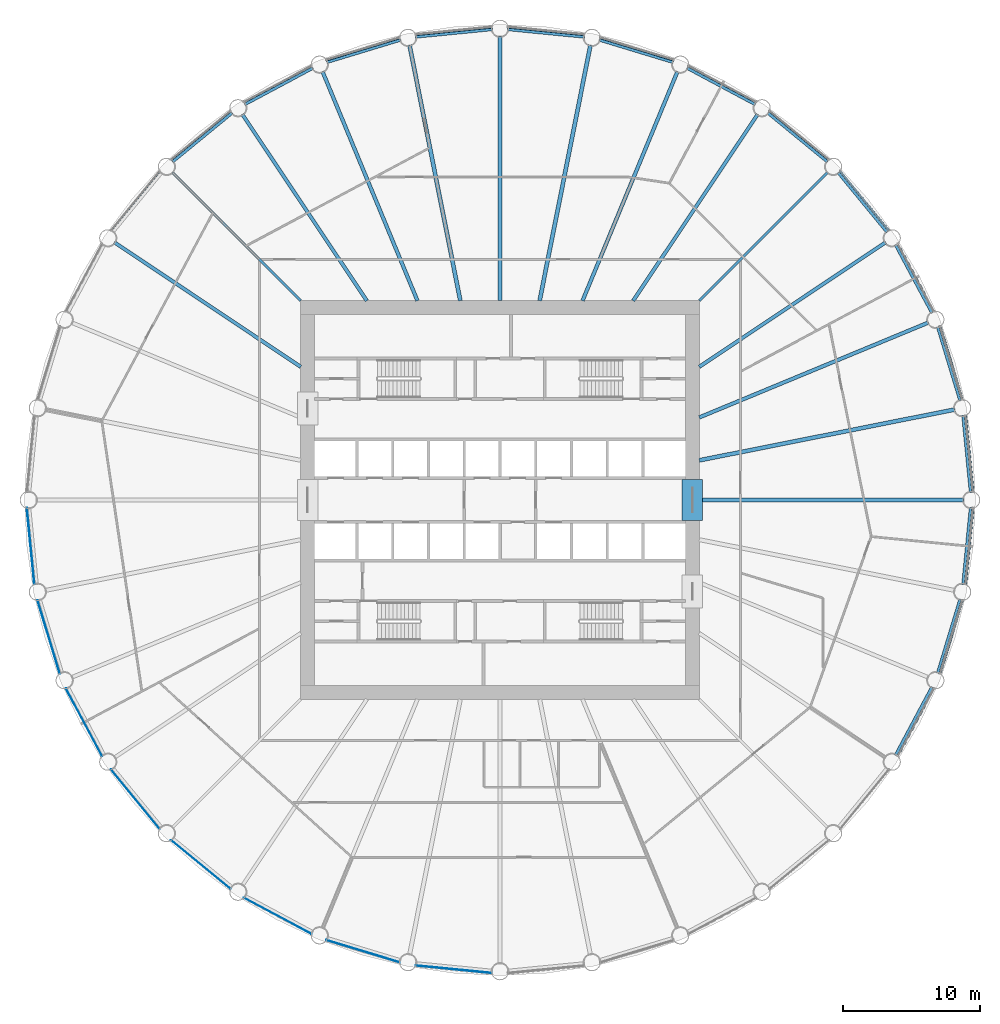
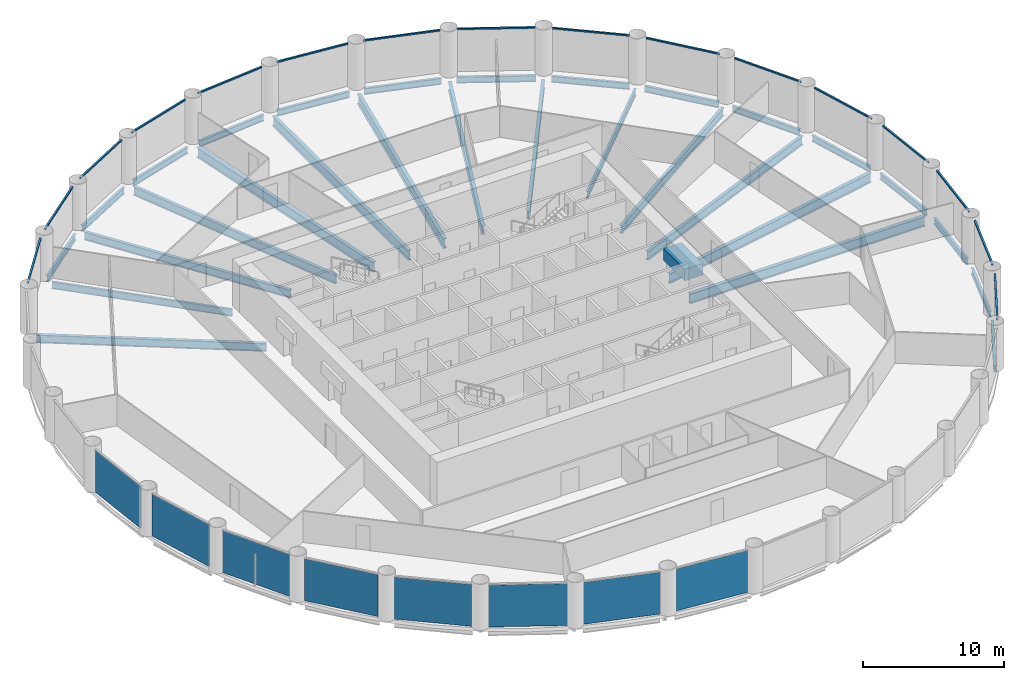
# One storey, part 2 of 8: 30 beams, 16 members, 8 plates, 24 elements without a shape of their own.
"""IFC4 building model written with IfcOpenShell, lengths in metres."""

from ifc_helpers import new_model, si_unit, direction, frame, origin, origin_2d, place, context, subcontext, project, spatial, rectangle, i_section, extrude, material, layer, layer_set, material_profile, profile_set, type_object, element, aggregate, save


model = new_model("IFC4")

# Units and contexts
model_context = context("Model", 3, precision=1e-05, world=origin(), true_north=direction((0.0, 1.0)))
body_context = subcontext(model_context, "Body", "Model", "MODEL_VIEW")
ifc_project = project(units=[si_unit("LENGTHUNIT", "METRE"), si_unit("AREAUNIT", "SQUARE_METRE"), si_unit("VOLUMEUNIT", "CUBIC_METRE"), si_unit("PLANEANGLEUNIT", "RADIAN"), si_unit("MASSUNIT", "GRAM", prefix="KILO")], contexts=[model_context])

# Site, building, storey
site_placement = place(None, origin())
site = spatial("IfcSite", under=ifc_project, at=site_placement, CompositionType="ELEMENT")
building_placement = place(site_placement, origin())
building = spatial("IfcBuilding", under=site, at=building_placement, Name="Corvane Civic Tower", CompositionType="ELEMENT")
storey_placement = place(building_placement, frame((0.0, 0.0, 114.5)))
storey = spatial("IfcBuildingStorey", under=building, at=storey_placement, Name="L26", CompositionType="ELEMENT", Elevation=114.5)

# Beams
ifc_material_1 = material(Name="Concrete C70/85", Category="concrete")
ifc_material_profile_1 = material_profile(ifc_material_1, rectangle(XDim=1.5, YDim=1.0, at=origin_2d()), Name="COUPLING BEAM 1500X1000")
ifc_profile_set_1 = profile_set([ifc_material_profile_1], Name="Concrete C70/85")
beam_type_1 = type_object("IfcBeamType", Name="COUPLING BEAM COUPLING BEAM 1500X1000", PredefinedType="BEAM", material=ifc_profile_set_1)
beam_1_placement = place(storey_placement, frame((14.0, -1.5, 2.60009765625), z_axis=(0.0, 1.0, 0.0), x_axis=(-1.0, 0.0, 0.0)))
element("IfcBeam", 1, at=beam_1_placement, inside=storey, type_object=beam_type_1, Name="BM-L26-cpl-CW-LE", PredefinedType="BEAM", context=body_context, shape_type="SweptSolid", body=[
    extrude(rectangle(XDim=1.5, YDim=1.0, at=origin_2d()), origin(), (0.0, 0.0, 1.0), 3.0),
])
ifc_material_2 = material(Name="Steel ASTM A992 Gr 50", Category="steel")
ifc_material_profile_2 = material_profile(ifc_material_2, i_section(OverallWidth=0.209228515625, OverallDepth=0.533447265625, WebThickness=0.01025390625, FlangeThickness=0.015625, at=origin_2d()), Name="W21X62")
ifc_profile_set_2 = profile_set([ifc_material_profile_2], Name="Steel ASTM A992 Gr 50")
beam_type_2 = type_object("IfcBeamType", Name="EDGE BEAM W21X62", PredefinedType="BEAM", material=ifc_profile_set_2)
beam_2_placement = place(storey_placement, frame((0.54736328125, 34.24609375, -0.566650390625), z_axis=(0.995184368522, -0.098020776625, 0.0), x_axis=(0.098020776625, 0.995184368522, 0.0)))
element("IfcBeam", 2, at=beam_2_placement, inside=storey, type_object=beam_type_2, Name="BM-L26-E01", PredefinedType="BEAM", context=body_context, shape_type="SweptSolid", body=[
    extrude(i_section(OverallWidth=0.209228515625, OverallDepth=0.533447265625, WebThickness=0.01025390625, FlangeThickness=0.015625, at=origin_2d()), origin(), (0.0, 0.0, 1.0), 5.6240234375),
])
beam_3_placement = place(storey_placement, frame((7.218017578125, 33.481201171875, -0.566650390625), z_axis=(0.956936367498, -0.290297758448, 0.0), x_axis=(0.290297758448, 0.956936367498, 0.0)))
element("IfcBeam", 3, at=beam_3_placement, inside=storey, type_object=beam_type_2, Name="BM-L26-E02", PredefinedType="BEAM", context=body_context, shape_type="SweptSolid", body=[
    extrude(i_section(OverallWidth=0.209228515625, OverallDepth=0.533447265625, WebThickness=0.01025390625, FlangeThickness=0.015625, at=origin_2d()), origin(), (0.0, 0.0, 1.0), 5.623779296875),
])
for number, where, z_axis, x_axis, name in (
    (4, (13.611083984375, 31.4296875, -0.566650390625), (0.88192357867, -0.471392407008, 0.0), (0.471392407008, 0.88192357867, 0.0), "BM-L26-E03"),
    (5, (19.481201171875, 28.17041015625, -0.566650390625), (0.773006775372, -0.634397765782, 0.0), (0.634397765782, 0.773006775372, 0.0), "BM-L26-E04"),
    (6, (24.6025390625, 23.82861328125, -0.566650390625), (0.634397765782, -0.773006775372, 0.0), (0.773006775372, 0.634397765782, 0.0), "BM-L26-E05"),
    (7, (28.778564453125, 18.571044921875, -0.566650390625), (0.471392407008, -0.88192357867, 0.0), (0.88192357867, 0.471392407008, 0.0), "BM-L26-E06"),
):
    element("IfcBeam", number, at=place(storey_placement, frame(where, z_axis=z_axis, x_axis=x_axis)), inside=storey, type_object=beam_type_2, Name=name, PredefinedType="BEAM", context=body_context, shape_type="SweptSolid", body=[
        extrude(i_section(OverallWidth=0.209228515625, OverallDepth=0.533447265625, WebThickness=0.01025390625, FlangeThickness=0.015625, at=origin_2d()), origin(), (0.0, 0.0, 1.0), 5.6240234375),
    ])
beam_4_placement = place(storey_placement, frame((31.8486328125, 12.599609375, -0.566650390625), z_axis=(0.290297758448, -0.956936367498, 0.0), x_axis=(0.956936367498, 0.290297758448, 0.0)))
element("IfcBeam", 8, at=beam_4_placement, inside=storey, type_object=beam_type_2, Name="BM-L26-E07", PredefinedType="BEAM", context=body_context, shape_type="SweptSolid", body=[
    extrude(i_section(OverallWidth=0.209228515625, OverallDepth=0.533447265625, WebThickness=0.01025390625, FlangeThickness=0.015625, at=origin_2d()), origin(), (0.0, 0.0, 1.0), 5.623779296875),
])
for number, where, z_axis, x_axis, name in (
    (9, (33.69482421875, 6.144287109375, -0.566650390625), (0.098020776625, -0.995184368522, 0.0), (0.995184368522, 0.098020776625, 0.0), "BM-L26-E08"),
    (10, (34.24609375, -0.54736328125, -0.566650390625), (-0.098020776625, -0.995184368522, 0.0), (0.995184368522, -0.098020776625, 0.0), "BM-L26-E09"),
):
    element("IfcBeam", number, at=place(storey_placement, frame(where, z_axis=z_axis, x_axis=x_axis)), inside=storey, type_object=beam_type_2, Name=name, PredefinedType="BEAM", context=body_context, shape_type="SweptSolid", body=[
        extrude(i_section(OverallWidth=0.209228515625, OverallDepth=0.533447265625, WebThickness=0.01025390625, FlangeThickness=0.015625, at=origin_2d()), origin(), (0.0, 0.0, 1.0), 5.6240234375),
    ])
beam_5_placement = place(storey_placement, frame((33.481201171875, -7.218017578125, -0.566650390625), z_axis=(-0.290297758448, -0.956936367498, 0.0), x_axis=(0.956936367498, -0.290297758448, 0.0)))
element("IfcBeam", 11, at=beam_5_placement, inside=storey, type_object=beam_type_2, Name="BM-L26-E10", PredefinedType="BEAM", context=body_context, shape_type="SweptSolid", body=[
    extrude(i_section(OverallWidth=0.209228515625, OverallDepth=0.533447265625, WebThickness=0.01025390625, FlangeThickness=0.015625, at=origin_2d()), origin(), (0.0, 0.0, 1.0), 5.623779296875),
])
for number, where, z_axis, x_axis, name in (
    (12, (31.4296875, -13.611083984375, -0.566650390625), (-0.471392407008, -0.88192357867, 0.0), (0.88192357867, -0.471392407008, 0.0), "BM-L26-E11"),
    (13, (-23.82861328125, 24.6025390625, -0.566650390625), (0.773006775372, 0.634397765782, 0.0), (-0.634397765782, 0.773006775372, 0.0), "BM-L26-E29"),
    (14, (-18.571044921875, 28.778564453125, -0.566650390625), (0.88192357867, 0.471392407008, 0.0), (-0.471392407008, 0.88192357867, 0.0), "BM-L26-E30"),
):
    element("IfcBeam", number, at=place(storey_placement, frame(where, z_axis=z_axis, x_axis=x_axis)), inside=storey, type_object=beam_type_2, Name=name, PredefinedType="BEAM", context=body_context, shape_type="SweptSolid", body=[
        extrude(i_section(OverallWidth=0.209228515625, OverallDepth=0.533447265625, WebThickness=0.01025390625, FlangeThickness=0.015625, at=origin_2d()), origin(), (0.0, 0.0, 1.0), 5.6240234375),
    ])
beam_6_placement = place(storey_placement, frame((-12.599609375, 31.8486328125, -0.566650390625), z_axis=(0.956936367498, 0.290297758448, 0.0), x_axis=(-0.290297758448, 0.956936367498, 0.0)))
element("IfcBeam", 15, at=beam_6_placement, inside=storey, type_object=beam_type_2, Name="BM-L26-E31", PredefinedType="BEAM", context=body_context, shape_type="SweptSolid", body=[
    extrude(i_section(OverallWidth=0.209228515625, OverallDepth=0.533447265625, WebThickness=0.01025390625, FlangeThickness=0.015625, at=origin_2d()), origin(), (0.0, 0.0, 1.0), 5.623779296875),
])
beam_7_placement = place(storey_placement, frame((-6.144287109375, 33.69482421875, -0.566650390625), z_axis=(0.995184368522, 0.098020776625, 0.0), x_axis=(-0.098020776625, 0.995184368522, 0.0)))
element("IfcBeam", 16, at=beam_7_placement, inside=storey, type_object=beam_type_2, Name="BM-L26-E32", PredefinedType="BEAM", context=body_context, shape_type="SweptSolid", body=[
    extrude(i_section(OverallWidth=0.209228515625, OverallDepth=0.533447265625, WebThickness=0.01025390625, FlangeThickness=0.015625, at=origin_2d()), origin(), (0.0, 0.0, 1.0), 5.6240234375),
])
ifc_material_3 = material(Name="Steel ASTM A992 Gr 50", Category="steel")
ifc_material_profile_3 = material_profile(ifc_material_3, i_section(OverallWidth=0.177978515625, OverallDepth=0.599365234375, WebThickness=0.010009765625, FlangeThickness=0.012939453125, at=origin_2d()), Name="W24X55")
ifc_profile_set_3 = profile_set([ifc_material_profile_3], Name="Steel ASTM A992 Gr 50")
beam_type_3 = type_object("IfcBeamType", Name="FLOOR GIRDER W24X55", PredefinedType="BEAM", material=ifc_profile_set_3)
for number, where, z_axis, x_axis, name in (
    (17, (14.5, 14.5, -0.599609375), (0.707106781187, 0.707106781187, 0.0), (-0.707106781187, 0.707106781187, 0.0), "BM-L26-G05"),
    (18, (-14.5, 14.5, -0.599609375), (-0.707106781187, 0.707106781187, 0.0), (-0.707106781187, -0.707106781187, 0.0), "BM-L26-G29"),
):
    element("IfcBeam", number, at=place(storey_placement, frame(where, z_axis=z_axis, x_axis=x_axis)), inside=storey, type_object=beam_type_3, Name=name, PredefinedType="BEAM", context=body_context, shape_type="SweptSolid", body=[
        extrude(i_section(OverallWidth=0.177978515625, OverallDepth=0.599365234375, WebThickness=0.010009765625, FlangeThickness=0.012939453125, at=origin_2d()), origin(), (0.0, 0.0, 1.0), 13.24365234375),
    ])
ifc_material_4 = material(Name="Steel ASTM A992 Gr 50", Category="steel")
ifc_material_profile_4 = material_profile(ifc_material_4, i_section(OverallWidth=0.256591796875, OverallDepth=0.693359375, WebThickness=0.014404296875, FlangeThickness=0.023681640625, at=origin_2d()), Name="W27X114")
ifc_profile_set_4 = profile_set([ifc_material_profile_4], Name="Steel ASTM A992 Gr 50")
beam_type_4 = type_object("IfcBeamType", Name="FLOOR GIRDER W27X114", PredefinedType="BEAM", material=ifc_profile_set_4)
for number, where, z_axis, x_axis, name in (
    (19, (9.6884765625, 14.5, -0.646728515625), (0.555577235054, 0.83146493365, 0.0), (-0.83146493365, 0.555577235054, 0.0), "BM-L26-G04"),
    (20, (14.5, 9.6884765625, -0.646728515625), (0.83146493365, 0.555577235054, 0.0), (-0.555577235054, 0.83146493365, 0.0), "BM-L26-G06"),
    (21, (-14.5, 9.6884765625, -0.646728515625), (-0.83146493365, 0.555577235054, 0.0), (-0.555577235054, -0.83146493365, 0.0), "BM-L26-G28"),
    (22, (-9.6884765625, 14.5, -0.646728515625), (-0.555577235054, 0.83146493365, 0.0), (-0.83146493365, -0.555577235054, 0.0), "BM-L26-G30"),
):
    element("IfcBeam", number, at=place(storey_placement, frame(where, z_axis=z_axis, x_axis=x_axis)), inside=storey, type_object=beam_type_4, Name=name, PredefinedType="BEAM", context=body_context, shape_type="SweptSolid", body=[
        extrude(i_section(OverallWidth=0.256591796875, OverallDepth=0.693359375, WebThickness=0.014404296875, FlangeThickness=0.023681640625, at=origin_2d()), origin(), (0.0, 0.0, 1.0), 16.31103515625),
    ])
ifc_material_5 = material(Name="Steel ASTM A992 Gr 50", Category="steel")
ifc_material_profile_5 = material_profile(ifc_material_5, i_section(OverallWidth=0.2666015625, OverallDepth=0.7568359375, WebThickness=0.013916015625, FlangeThickness=0.019287109375, at=origin_2d()), Name="W30X108")
ifc_profile_set_5 = profile_set([ifc_material_profile_5], Name="Steel ASTM A992 Gr 50")
beam_type_5 = type_object("IfcBeamType", Name="FLOOR GIRDER W30X108", PredefinedType="BEAM", material=ifc_profile_set_5)
for number, where, z_axis, x_axis, name in (
    (23, (6.006103515625, 14.5, -0.678466796875), (0.382681797504, 0.923880209691, 0.0), (-0.923880209691, 0.382681797504, 0.0), "BM-L26-G03"),
    (24, (14.5, 6.006103515625, -0.678466796875), (0.923880209691, 0.382681797504, 0.0), (-0.382681797504, 0.923880209691, 0.0), "BM-L26-G07"),
    (25, (-6.006103515625, 14.5, -0.678466796875), (-0.382681797504, 0.923880209691, 0.0), (-0.923880209691, -0.382681797504, 0.0), "BM-L26-G31"),
):
    element("IfcBeam", number, at=place(storey_placement, frame(where, z_axis=z_axis, x_axis=x_axis)), inside=storey, type_object=beam_type_5, Name=name, PredefinedType="BEAM", context=body_context, shape_type="SweptSolid", body=[
        extrude(i_section(OverallWidth=0.2666015625, OverallDepth=0.7568359375, WebThickness=0.013916015625, FlangeThickness=0.019287109375, at=origin_2d()), origin(), (0.0, 0.0, 1.0), 18.05517578125),
    ])
ifc_material_6 = material(Name="Steel ASTM A992 Gr 50", Category="steel")
ifc_material_profile_6 = material_profile(ifc_material_6, i_section(OverallWidth=0.2919921875, OverallDepth=0.8583984375, WebThickness=0.01708984375, FlangeThickness=0.031005859375, at=origin_2d()), Name="W33X169")
ifc_profile_set_6 = profile_set([ifc_material_profile_6], Name="Steel ASTM A992 Gr 50")
beam_type_6 = type_object("IfcBeamType", Name="FLOOR GIRDER W33X169", PredefinedType="BEAM", material=ifc_profile_set_6)
beam_8_placement = place(storey_placement, frame((0.0, 14.5, -0.729248046875), z_axis=(0.0, 1.0, 0.0), x_axis=(-1.0, 0.0, 0.0)))
element("IfcBeam", 26, at=beam_8_placement, inside=storey, type_object=beam_type_6, Name="BM-L26-G01", PredefinedType="BEAM", context=body_context, shape_type="SweptSolid", body=[
    extrude(i_section(OverallWidth=0.2919921875, OverallDepth=0.8583984375, WebThickness=0.01708984375, FlangeThickness=0.031005859375, at=origin_2d()), origin(), (0.0, 0.0, 1.0), 19.25),
])
for number, where, z_axis, x_axis, name in (
    (27, (2.88427734375, 14.5, -0.729248046875), (0.195083745652, 0.9807865885, 0.0), (-0.9807865885, 0.195083745652, 0.0), "BM-L26-G02"),
    (28, (14.5, 2.88427734375, -0.729248046875), (0.9807865885, 0.195083745652, 0.0), (-0.195083745652, 0.9807865885, 0.0), "BM-L26-G08"),
):
    element("IfcBeam", number, at=place(storey_placement, frame(where, z_axis=z_axis, x_axis=x_axis)), inside=storey, type_object=beam_type_6, Name=name, PredefinedType="BEAM", context=body_context, shape_type="SweptSolid", body=[
        extrude(i_section(OverallWidth=0.2919921875, OverallDepth=0.8583984375, WebThickness=0.01708984375, FlangeThickness=0.031005859375, at=origin_2d()), origin(), (0.0, 0.0, 1.0), 18.966064453125),
    ])
beam_9_placement = place(storey_placement, frame((14.5, 0.0, -0.729248046875), z_axis=(1.0, 0.0, 0.0), x_axis=(0.0, 1.0, 0.0)))
element("IfcBeam", 29, at=beam_9_placement, inside=storey, type_object=beam_type_6, Name="BM-L26-G09", PredefinedType="BEAM", context=body_context, shape_type="SweptSolid", body=[
    extrude(i_section(OverallWidth=0.2919921875, OverallDepth=0.8583984375, WebThickness=0.01708984375, FlangeThickness=0.031005859375, at=origin_2d()), origin(), (0.0, 0.0, 1.0), 19.25),
])
beam_10_placement = place(storey_placement, frame((-2.88427734375, 14.5, -0.729248046875), z_axis=(-0.195083745652, 0.9807865885, 0.0), x_axis=(-0.9807865885, -0.195083745652, 0.0)))
element("IfcBeam", 30, at=beam_10_placement, inside=storey, type_object=beam_type_6, Name="BM-L26-G32", PredefinedType="BEAM", context=body_context, shape_type="SweptSolid", body=[
    extrude(i_section(OverallWidth=0.2919921875, OverallDepth=0.8583984375, WebThickness=0.01708984375, FlangeThickness=0.031005859375, at=origin_2d()), origin(), (0.0, 0.0, 1.0), 18.966064453125),
])

# Curtain wall, member
ifc_material_7 = material(Name="Anodised aluminium bronze", Category="aluminium")
curtain_wall_type = type_object("IfcCurtainWallType", Name="TOWER CW-T1 STICK CURTAIN WALL", PredefinedType="NOTDEFINED", material=ifc_material_7)
curtain_wall_1_placement = place(storey_placement, origin())
curtain_wall_1 = element("IfcCurtainWall", 31, at=curtain_wall_1_placement, inside=storey, type_object=curtain_wall_type, Name="Curtain wall CW-T1 L26 bay 01", PredefinedType="NOTDEFINED")
ifc_material_8 = material(Name="Anodised aluminium bronze", Category="aluminium")
ifc_material_profile_7 = material_profile(ifc_material_8, rectangle(XDim=0.139892578125, YDim=0.1201171875, at=origin_2d()), Name="TOWER CW-T1 TRANSOM 140x120")
ifc_profile_set_7 = profile_set([ifc_material_profile_7], Name="Anodised aluminium bronze")
member_type = type_object("IfcMemberType", Name="TOWER CW-T1 TRANSOM 140x120", PredefinedType="USERDEFINED", material=ifc_profile_set_7)
member_1_placement = place(storey_placement, frame((0.58349609375, 34.422607421875, 3.68994140625), z_axis=(0.995179807033, -0.098067077419, 0.0), x_axis=(0.098067077419, 0.995179807033, 0.0)))
member_1 = element("IfcMember", 32, at=member_1_placement, type_object=member_type, Name="Transom CW-T1 L26 01.1", ObjectType="TRANSOM", PredefinedType="USERDEFINED", context=body_context, shape_type="SweptSolid", body=[
    extrude(rectangle(XDim=0.139892578125, YDim=0.1201171875, at=origin_2d()), origin(), (0.0, 0.0, 1.0), 5.58642578125),
])
aggregate(curtain_wall_1, [member_1])

curtain_wall_2_placement = place(storey_placement, origin())
curtain_wall_2 = element("IfcCurtainWall", 33, at=curtain_wall_2_placement, inside=storey, type_object=curtain_wall_type, Name="Curtain wall CW-T1 L26 bay 02", PredefinedType="NOTDEFINED")
member_2_placement = place(storey_placement, frame((7.287841796875, 33.647216796875, 3.68994140625), z_axis=(0.956944977029, -0.290269376509, 0.0), x_axis=(0.290269376509, 0.956944977029, 0.0)))
member_2 = element("IfcMember", 34, at=member_2_placement, type_object=member_type, Name="Transom CW-T1 L26 02.1", ObjectType="TRANSOM", PredefinedType="USERDEFINED", context=body_context, shape_type="SweptSolid", body=[
    extrude(rectangle(XDim=0.139892578125, YDim=0.1201171875, at=origin_2d()), origin(), (0.0, 0.0, 1.0), 5.58642578125),
])
aggregate(curtain_wall_2, [member_2])

curtain_wall_3_placement = place(storey_placement, origin())
curtain_wall_3 = element("IfcCurtainWall", 35, at=curtain_wall_3_placement, inside=storey, type_object=curtain_wall_type, Name="Curtain wall CW-T1 L26 bay 03", PredefinedType="NOTDEFINED")
member_3_placement = place(storey_placement, frame((13.712158203125, 31.5791015625, 3.68994140625), z_axis=(0.881920705407, -0.47139778253, 0.0), x_axis=(0.47139778253, 0.881920705407, 0.0)))
member_3 = element("IfcMember", 36, at=member_3_placement, type_object=member_type, Name="Transom CW-T1 L26 03.1", ObjectType="TRANSOM", PredefinedType="USERDEFINED", context=body_context, shape_type="SweptSolid", body=[
    extrude(rectangle(XDim=0.139892578125, YDim=0.1201171875, at=origin_2d()), origin(), (0.0, 0.0, 1.0), 5.586669921875),
])
aggregate(curtain_wall_3, [member_3])

curtain_wall_4_placement = place(storey_placement, origin())
curtain_wall_4 = element("IfcCurtainWall", 37, at=curtain_wall_4_placement, inside=storey, type_object=curtain_wall_type, Name="Curtain wall CW-T1 L26 bay 04", PredefinedType="NOTDEFINED")
member_4_placement = place(storey_placement, frame((19.609619140625, 28.297119140625, 3.68994140625), z_axis=(0.772996431642, -0.634410369295, 0.0), x_axis=(0.634410369295, 0.772996431642, 0.0)))
member_4 = element("IfcMember", 38, at=member_4_placement, type_object=member_type, Name="Transom CW-T1 L26 04.1", ObjectType="TRANSOM", PredefinedType="USERDEFINED", context=body_context, shape_type="SweptSolid", body=[
    extrude(rectangle(XDim=0.139892578125, YDim=0.1201171875, at=origin_2d()), origin(), (0.0, 0.0, 1.0), 5.586181640625),
])
aggregate(curtain_wall_4, [member_4])

curtain_wall_5_placement = place(storey_placement, origin())
curtain_wall_5 = element("IfcCurtainWall", 39, at=curtain_wall_5_placement, inside=storey, type_object=curtain_wall_type, Name="Curtain wall CW-T1 L26 bay 05", PredefinedType="NOTDEFINED")
member_5_placement = place(storey_placement, frame((24.753173828125, 23.927734375, 3.68994140625), z_axis=(0.634410369295, -0.772996431642, 0.0), x_axis=(0.772996431642, 0.634410369295, 0.0)))
member_5 = element("IfcMember", 40, at=member_5_placement, type_object=member_type, Name="Transom CW-T1 L26 05.1", ObjectType="TRANSOM", PredefinedType="USERDEFINED", context=body_context, shape_type="SweptSolid", body=[
    extrude(rectangle(XDim=0.139892578125, YDim=0.1201171875, at=origin_2d()), origin(), (0.0, 0.0, 1.0), 5.586181640625),
])
aggregate(curtain_wall_5, [member_5])

curtain_wall_6_placement = place(storey_placement, origin())
curtain_wall_6 = element("IfcCurtainWall", 41, at=curtain_wall_6_placement, inside=storey, type_object=curtain_wall_type, Name="Curtain wall CW-T1 L26 bay 06", PredefinedType="NOTDEFINED")
member_6_placement = place(storey_placement, frame((28.945556640625, 18.63916015625, 3.68994140625), z_axis=(0.47139778253, -0.881920705407, 0.0), x_axis=(0.881920705407, 0.47139778253, 0.0)))
member_6 = element("IfcMember", 42, at=member_6_placement, type_object=member_type, Name="Transom CW-T1 L26 06.1", ObjectType="TRANSOM", PredefinedType="USERDEFINED", context=body_context, shape_type="SweptSolid", body=[
    extrude(rectangle(XDim=0.139892578125, YDim=0.1201171875, at=origin_2d()), origin(), (0.0, 0.0, 1.0), 5.586669921875),
])
aggregate(curtain_wall_6, [member_6])

curtain_wall_7_placement = place(storey_placement, origin())
curtain_wall_7 = element("IfcCurtainWall", 43, at=curtain_wall_7_placement, inside=storey, type_object=curtain_wall_type, Name="Curtain wall CW-T1 L26 bay 07", PredefinedType="NOTDEFINED")
member_7_placement = place(storey_placement, frame((32.025634765625, 12.6337890625, 3.68994140625), z_axis=(0.290269376509, -0.956944977029, 0.0), x_axis=(0.956944977029, 0.290269376509, 0.0)))
member_7 = element("IfcMember", 44, at=member_7_placement, type_object=member_type, Name="Transom CW-T1 L26 07.1", ObjectType="TRANSOM", PredefinedType="USERDEFINED", context=body_context, shape_type="SweptSolid", body=[
    extrude(rectangle(XDim=0.139892578125, YDim=0.1201171875, at=origin_2d()), origin(), (0.0, 0.0, 1.0), 5.58642578125),
])
aggregate(curtain_wall_7, [member_7])

curtain_wall_8_placement = place(storey_placement, origin())
curtain_wall_8 = element("IfcCurtainWall", 45, at=curtain_wall_8_placement, inside=storey, type_object=curtain_wall_type, Name="Curtain wall CW-T1 L26 bay 08", PredefinedType="NOTDEFINED")
member_8_placement = place(storey_placement, frame((33.874755859375, 6.14306640625, 3.68994140625), z_axis=(0.098067077419, -0.995179807033, 0.0), x_axis=(0.995179807033, 0.098067077419, 0.0)))
member_8 = element("IfcMember", 46, at=member_8_placement, type_object=member_type, Name="Transom CW-T1 L26 08.1", ObjectType="TRANSOM", PredefinedType="USERDEFINED", context=body_context, shape_type="SweptSolid", body=[
    extrude(rectangle(XDim=0.139892578125, YDim=0.1201171875, at=origin_2d()), origin(), (0.0, 0.0, 1.0), 5.58642578125),
])
aggregate(curtain_wall_8, [member_8])

curtain_wall_9_placement = place(storey_placement, origin())
curtain_wall_9 = element("IfcCurtainWall", 47, at=curtain_wall_9_placement, inside=storey, type_object=curtain_wall_type, Name="Curtain wall CW-T1 L26 bay 09", PredefinedType="NOTDEFINED")
member_9_placement = place(storey_placement, frame((34.422607421875, -0.58349609375, 3.68994140625), z_axis=(-0.098067077419, -0.995179807033, 0.0), x_axis=(0.995179807033, -0.098067077419, 0.0)))
member_9 = element("IfcMember", 48, at=member_9_placement, type_object=member_type, Name="Transom CW-T1 L26 09.1", ObjectType="TRANSOM", PredefinedType="USERDEFINED", context=body_context, shape_type="SweptSolid", body=[
    extrude(rectangle(XDim=0.139892578125, YDim=0.1201171875, at=origin_2d()), origin(), (0.0, 0.0, 1.0), 5.58642578125),
])
aggregate(curtain_wall_9, [member_9])

curtain_wall_10_placement = place(storey_placement, origin())
curtain_wall_10 = element("IfcCurtainWall", 49, at=curtain_wall_10_placement, inside=storey, type_object=curtain_wall_type, Name="Curtain wall CW-T1 L26 bay 10", PredefinedType="NOTDEFINED")
member_10_placement = place(storey_placement, frame((33.647216796875, -7.287841796875, 3.68994140625), z_axis=(-0.290269376509, -0.956944977029, 0.0), x_axis=(0.956944977029, -0.290269376509, 0.0)))
member_10 = element("IfcMember", 50, at=member_10_placement, type_object=member_type, Name="Transom CW-T1 L26 10.1", ObjectType="TRANSOM", PredefinedType="USERDEFINED", context=body_context, shape_type="SweptSolid", body=[
    extrude(rectangle(XDim=0.139892578125, YDim=0.1201171875, at=origin_2d()), origin(), (0.0, 0.0, 1.0), 5.58642578125),
])
aggregate(curtain_wall_10, [member_10])

curtain_wall_11_placement = place(storey_placement, origin())
curtain_wall_11 = element("IfcCurtainWall", 51, at=curtain_wall_11_placement, inside=storey, type_object=curtain_wall_type, Name="Curtain wall CW-T1 L26 bay 11", PredefinedType="NOTDEFINED")
member_11_placement = place(storey_placement, frame((31.5791015625, -13.712158203125, 3.68994140625), z_axis=(-0.47139778253, -0.881920705407, 0.0), x_axis=(0.881920705407, -0.47139778253, 0.0)))
member_11 = element("IfcMember", 52, at=member_11_placement, type_object=member_type, Name="Transom CW-T1 L26 11.1", ObjectType="TRANSOM", PredefinedType="USERDEFINED", context=body_context, shape_type="SweptSolid", body=[
    extrude(rectangle(XDim=0.139892578125, YDim=0.1201171875, at=origin_2d()), origin(), (0.0, 0.0, 1.0), 5.586669921875),
])
aggregate(curtain_wall_11, [member_11])

curtain_wall_12_placement = place(storey_placement, origin())
curtain_wall_12 = element("IfcCurtainWall", 53, at=curtain_wall_12_placement, inside=storey, type_object=curtain_wall_type, Name="Curtain wall CW-T1 L26 bay 28", PredefinedType="NOTDEFINED")
member_12_placement = place(storey_placement, frame((-28.297119140625, 19.609619140625, 3.68994140625), z_axis=(0.634410369295, 0.772996431642, 0.0), x_axis=(-0.772996431642, 0.634410369295, 0.0)))
member_12 = element("IfcMember", 54, at=member_12_placement, type_object=member_type, Name="Transom CW-T1 L26 28.1", ObjectType="TRANSOM", PredefinedType="USERDEFINED", context=body_context, shape_type="SweptSolid", body=[
    extrude(rectangle(XDim=0.139892578125, YDim=0.1201171875, at=origin_2d()), origin(), (0.0, 0.0, 1.0), 5.586181640625),
])
aggregate(curtain_wall_12, [member_12])

curtain_wall_13_placement = place(storey_placement, origin())
curtain_wall_13 = element("IfcCurtainWall", 55, at=curtain_wall_13_placement, inside=storey, type_object=curtain_wall_type, Name="Curtain wall CW-T1 L26 bay 29", PredefinedType="NOTDEFINED")
member_13_placement = place(storey_placement, frame((-23.927734375, 24.753173828125, 3.68994140625), z_axis=(0.772996431642, 0.634410369295, 0.0), x_axis=(-0.634410369295, 0.772996431642, 0.0)))
member_13 = element("IfcMember", 56, at=member_13_placement, type_object=member_type, Name="Transom CW-T1 L26 29.1", ObjectType="TRANSOM", PredefinedType="USERDEFINED", context=body_context, shape_type="SweptSolid", body=[
    extrude(rectangle(XDim=0.139892578125, YDim=0.1201171875, at=origin_2d()), origin(), (0.0, 0.0, 1.0), 5.586181640625),
])
aggregate(curtain_wall_13, [member_13])

curtain_wall_14_placement = place(storey_placement, origin())
curtain_wall_14 = element("IfcCurtainWall", 57, at=curtain_wall_14_placement, inside=storey, type_object=curtain_wall_type, Name="Curtain wall CW-T1 L26 bay 30", PredefinedType="NOTDEFINED")
member_14_placement = place(storey_placement, frame((-18.63916015625, 28.945556640625, 3.68994140625), z_axis=(0.881920705407, 0.47139778253, 0.0), x_axis=(-0.47139778253, 0.881920705407, 0.0)))
member_14 = element("IfcMember", 58, at=member_14_placement, type_object=member_type, Name="Transom CW-T1 L26 30.1", ObjectType="TRANSOM", PredefinedType="USERDEFINED", context=body_context, shape_type="SweptSolid", body=[
    extrude(rectangle(XDim=0.139892578125, YDim=0.1201171875, at=origin_2d()), origin(), (0.0, 0.0, 1.0), 5.586669921875),
])
aggregate(curtain_wall_14, [member_14])

curtain_wall_15_placement = place(storey_placement, origin())
curtain_wall_15 = element("IfcCurtainWall", 59, at=curtain_wall_15_placement, inside=storey, type_object=curtain_wall_type, Name="Curtain wall CW-T1 L26 bay 31", PredefinedType="NOTDEFINED")
member_15_placement = place(storey_placement, frame((-12.6337890625, 32.025634765625, 3.68994140625), z_axis=(0.956944977029, 0.290269376509, 0.0), x_axis=(-0.290269376509, 0.956944977029, 0.0)))
member_15 = element("IfcMember", 60, at=member_15_placement, type_object=member_type, Name="Transom CW-T1 L26 31.1", ObjectType="TRANSOM", PredefinedType="USERDEFINED", context=body_context, shape_type="SweptSolid", body=[
    extrude(rectangle(XDim=0.139892578125, YDim=0.1201171875, at=origin_2d()), origin(), (0.0, 0.0, 1.0), 5.58642578125),
])
aggregate(curtain_wall_15, [member_15])

curtain_wall_16_placement = place(storey_placement, origin())
curtain_wall_16 = element("IfcCurtainWall", 61, at=curtain_wall_16_placement, inside=storey, type_object=curtain_wall_type, Name="Curtain wall CW-T1 L26 bay 32", PredefinedType="NOTDEFINED")
member_16_placement = place(storey_placement, frame((-6.14306640625, 33.874755859375, 3.68994140625), z_axis=(0.995179807033, 0.098067077419, 0.0), x_axis=(-0.098067077419, 0.995179807033, 0.0)))
member_16 = element("IfcMember", 62, at=member_16_placement, type_object=member_type, Name="Transom CW-T1 L26 32.1", ObjectType="TRANSOM", PredefinedType="USERDEFINED", context=body_context, shape_type="SweptSolid", body=[
    extrude(rectangle(XDim=0.139892578125, YDim=0.1201171875, at=origin_2d()), origin(), (0.0, 0.0, 1.0), 5.58642578125),
])
aggregate(curtain_wall_16, [member_16])

# Curtain wall, plate
curtain_wall_17_placement = place(storey_placement, origin())
curtain_wall_17 = element("IfcCurtainWall", 63, at=curtain_wall_17_placement, inside=storey, type_object=curtain_wall_type, Name="Curtain wall CW-T1 L26 bay 17", PredefinedType="NOTDEFINED")
ifc_material_9 = material(Name="Tinted glass", Category="glass")
ifc_layer = layer(ifc_material_9, 0.035888671875)
ifc_layer_set = layer_set([ifc_layer], Name="Tinted glass")
plate_type = type_object("IfcPlateType", Name="TOWER CW-T1 PANEL IGU36", PredefinedType="CURTAIN_PANEL", material=ifc_layer_set)
plate_1_placement = place(storey_placement, frame((-3.36328125, -34.148681640625, 0.0), z_axis=(0.0, 0.0, 1.0), x_axis=(-0.995183788169, 0.098026668644, 0.0)))
plate_1 = element("IfcPlate", 64, at=plate_1_placement, type_object=plate_type, Name="Glass panel CW-T1 L26 17.1", PredefinedType="CURTAIN_PANEL", context=body_context, shape_type="SweptSolid", body=[
    extrude(rectangle(XDim=5.58642578125, YDim=0.035888671875, at=origin_2d()), origin(), (0.0, 0.0, 1.0), 3.6298828125),
])
aggregate(curtain_wall_17, [plate_1])

curtain_wall_18_placement = place(storey_placement, origin())
curtain_wall_18 = element("IfcCurtainWall", 65, at=curtain_wall_18_placement, inside=storey, type_object=curtain_wall_type, Name="Curtain wall CW-T1 L26 bay 18", PredefinedType="NOTDEFINED")
plate_2_placement = place(storey_placement, frame((-9.9609375, -32.83642578125, 0.0), z_axis=(0.0, 0.0, 1.0), x_axis=(-0.956945991488, 0.290266032073, 0.0)))
plate_2 = element("IfcPlate", 66, at=plate_2_placement, type_object=plate_type, Name="Glass panel CW-T1 L26 18.1", PredefinedType="CURTAIN_PANEL", context=body_context, shape_type="SweptSolid", body=[
    extrude(rectangle(XDim=5.58642578125, YDim=0.035888671875, at=origin_2d()), origin(), (0.0, 0.0, 1.0), 3.6298828125),
])
aggregate(curtain_wall_18, [plate_2])

curtain_wall_19_placement = place(storey_placement, origin())
curtain_wall_19 = element("IfcCurtainWall", 67, at=curtain_wall_19_placement, inside=storey, type_object=curtain_wall_type, Name="Curtain wall CW-T1 L26 bay 19", PredefinedType="NOTDEFINED")
plate_3_placement = place(storey_placement, frame((-16.175537109375, -30.26220703125, 0.0), z_axis=(0.0, 0.0, 1.0), x_axis=(-0.881923642976, 0.471392286699, 0.0)))
plate_3 = element("IfcPlate", 68, at=plate_3_placement, type_object=plate_type, Name="Glass panel CW-T1 L26 19.1", PredefinedType="CURTAIN_PANEL", context=body_context, shape_type="SweptSolid", body=[
    extrude(rectangle(XDim=5.586669921875, YDim=0.035888671875, at=origin_2d()), origin(), (0.0, 0.0, 1.0), 3.6298828125),
])
aggregate(curtain_wall_19, [plate_3])

curtain_wall_20_placement = place(storey_placement, origin())
curtain_wall_20 = element("IfcCurtainWall", 69, at=curtain_wall_20_placement, inside=storey, type_object=curtain_wall_type, Name="Curtain wall CW-T1 L26 bay 20", PredefinedType="NOTDEFINED")
plate_4_placement = place(storey_placement, frame((-21.7685546875, -26.525146484375, 0.0), z_axis=(0.0, 0.0, 1.0), x_axis=(-0.773013419843, 0.63438966948, 0.0)))
plate_4 = element("IfcPlate", 70, at=plate_4_placement, type_object=plate_type, Name="Glass panel CW-T1 L26 20.1", PredefinedType="CURTAIN_PANEL", context=body_context, shape_type="SweptSolid", body=[
    extrude(rectangle(XDim=5.58642578125, YDim=0.035888671875, at=origin_2d()), origin(), (0.0, 0.0, 1.0), 3.6298828125),
])
aggregate(curtain_wall_20, [plate_4])

curtain_wall_21_placement = place(storey_placement, origin())
curtain_wall_21 = element("IfcCurtainWall", 71, at=curtain_wall_21_placement, inside=storey, type_object=curtain_wall_type, Name="Curtain wall CW-T1 L26 bay 21", PredefinedType="NOTDEFINED")
plate_5_placement = place(storey_placement, frame((-26.525146484375, -21.7685546875, 0.0), z_axis=(0.0, 0.0, 1.0), x_axis=(-0.63438966948, 0.773013419843, 0.0)))
plate_5 = element("IfcPlate", 72, at=plate_5_placement, type_object=plate_type, Name="Glass panel CW-T1 L26 21.1", PredefinedType="CURTAIN_PANEL", context=body_context, shape_type="SweptSolid", body=[
    extrude(rectangle(XDim=5.58642578125, YDim=0.035888671875, at=origin_2d()), origin(), (0.0, 0.0, 1.0), 3.6298828125),
])
aggregate(curtain_wall_21, [plate_5])

curtain_wall_22_placement = place(storey_placement, origin())
curtain_wall_22 = element("IfcCurtainWall", 73, at=curtain_wall_22_placement, inside=storey, type_object=curtain_wall_type, Name="Curtain wall CW-T1 L26 bay 22", PredefinedType="NOTDEFINED")
plate_6_placement = place(storey_placement, frame((-30.26220703125, -16.175537109375, 0.0), z_axis=(0.0, 0.0, 1.0), x_axis=(-0.471392286699, 0.881923642976, 0.0)))
plate_6 = element("IfcPlate", 74, at=plate_6_placement, type_object=plate_type, Name="Glass panel CW-T1 L26 22.1", PredefinedType="CURTAIN_PANEL", context=body_context, shape_type="SweptSolid", body=[
    extrude(rectangle(XDim=5.586669921875, YDim=0.035888671875, at=origin_2d()), origin(), (0.0, 0.0, 1.0), 3.6298828125),
])
aggregate(curtain_wall_22, [plate_6])

curtain_wall_23_placement = place(storey_placement, origin())
curtain_wall_23 = element("IfcCurtainWall", 75, at=curtain_wall_23_placement, inside=storey, type_object=curtain_wall_type, Name="Curtain wall CW-T1 L26 bay 23", PredefinedType="NOTDEFINED")
plate_7_placement = place(storey_placement, frame((-32.83642578125, -9.9609375, 0.0), z_axis=(0.0, 0.0, 1.0), x_axis=(-0.290266032073, 0.956945991488, 0.0)))
plate_7 = element("IfcPlate", 76, at=plate_7_placement, type_object=plate_type, Name="Glass panel CW-T1 L26 23.1", PredefinedType="CURTAIN_PANEL", context=body_context, shape_type="SweptSolid", body=[
    extrude(rectangle(XDim=5.58642578125, YDim=0.035888671875, at=origin_2d()), origin(), (0.0, 0.0, 1.0), 3.6298828125),
])
aggregate(curtain_wall_23, [plate_7])

curtain_wall_24_placement = place(storey_placement, origin())
curtain_wall_24 = element("IfcCurtainWall", 77, at=curtain_wall_24_placement, inside=storey, type_object=curtain_wall_type, Name="Curtain wall CW-T1 L26 bay 24", PredefinedType="NOTDEFINED")
plate_8_placement = place(storey_placement, frame((-34.148681640625, -3.36328125, 0.0), z_axis=(0.0, 0.0, 1.0), x_axis=(-0.098026668644, 0.995183788169, 0.0)))
plate_8 = element("IfcPlate", 78, at=plate_8_placement, type_object=plate_type, Name="Glass panel CW-T1 L26 24.1", PredefinedType="CURTAIN_PANEL", context=body_context, shape_type="SweptSolid", body=[
    extrude(rectangle(XDim=5.58642578125, YDim=0.035888671875, at=origin_2d()), origin(), (0.0, 0.0, 1.0), 3.6298828125),
])
aggregate(curtain_wall_24, [plate_8])

save(model, "model.ifc")
